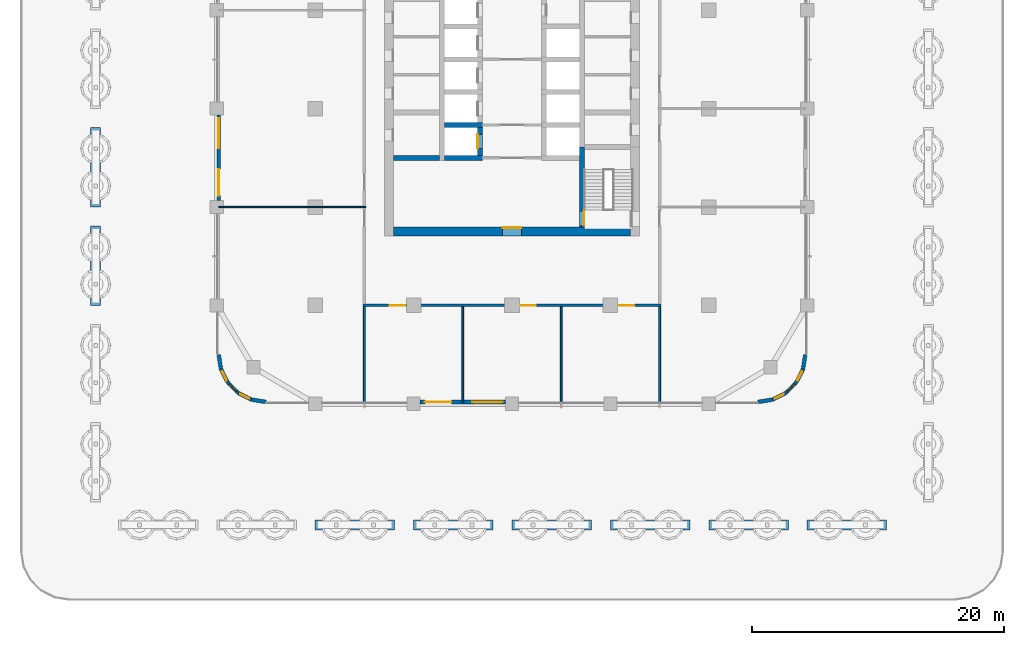
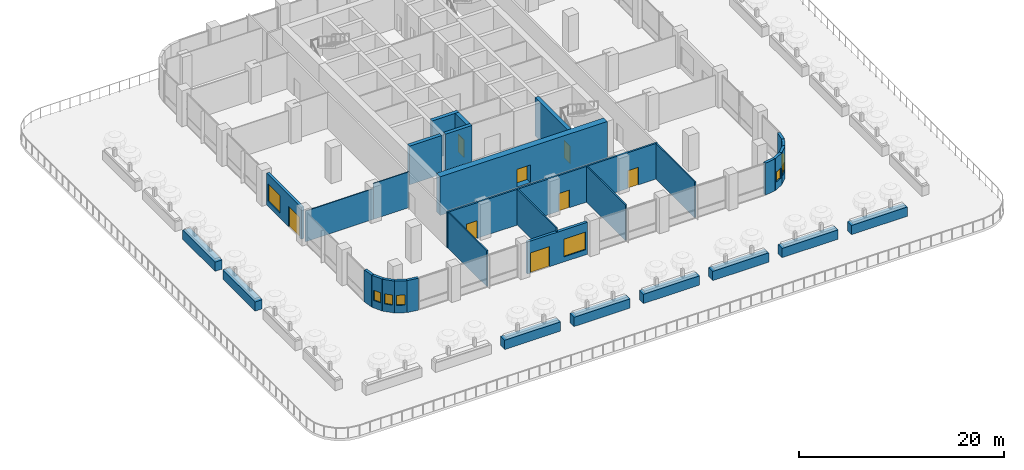
# One storey, part 12 of 31: 33 walls, 8 doors, 8 windows, 16 openings.
"""IFC4 building model written with IfcOpenShell, lengths in metres."""

from ifc_helpers import new_model, si_unit, direction, frame, frame_2d, origin, place, context, subcontext, project, spatial, rectangle, extrude, material, layer, layer_set, type_object, element, fill, save


model = new_model("IFC4")

# Units and contexts
model_context = context("Model", 3, precision=1e-05, world=origin(), true_north=direction((0.0, 1.0)))
body_context = subcontext(model_context, "Body", "Model", "MODEL_VIEW")
ifc_project = project(units=[si_unit("LENGTHUNIT", "METRE"), si_unit("AREAUNIT", "SQUARE_METRE"), si_unit("VOLUMEUNIT", "CUBIC_METRE"), si_unit("PLANEANGLEUNIT", "RADIAN"), si_unit("MASSUNIT", "GRAM", prefix="KILO")], contexts=[model_context])

# Site, building, storey
site_placement = place(None, origin())
site = spatial("IfcSite", under=ifc_project, at=site_placement, CompositionType="ELEMENT")
building_placement = place(site_placement, origin())
building = spatial("IfcBuilding", under=site, at=building_placement, Name="Ludao Terraces", CompositionType="ELEMENT")
storey_placement = place(building_placement, frame((0.0, 0.0, 15.0)))
storey = spatial("IfcBuildingStorey", under=building, at=storey_placement, Name="L03", CompositionType="ELEMENT", Elevation=15.0)

# Wall, opening, door
ifc_material_1 = material(Name="Concrete C70", Category="concrete")
ifc_layer_1 = layer(ifc_material_1, 0.699951171875)
ifc_layer_set_1 = layer_set([ifc_layer_1], Name="Core wall 700 C70")
wall_type_1 = type_object("IfcWallType", Name="Core wall 700 C70", PredefinedType="SOLIDWALL", material=ifc_layer_set_1)
wall_1_placement = place(storey_placement, frame((75.60009765625, 55.25, -0.35009765625), z_axis=(0.0, 0.0, 1.0), x_axis=(1.0, 0.0, 0.0)))
wall_1 = element("IfcWall", 1, at=wall_1_placement, inside=storey, type_object=wall_type_1, Name="Core wall L03 outer-S", PredefinedType="SOLIDWALL", context=body_context, shape_type="SweptSolid", body=[
    extrude(rectangle(XDim=18.7998046875, YDim=0.699951171875, at=frame_2d((9.39990234375, 0.0))), origin(), (0.0, 0.0, 1.0), 4.60009765625),
])
opening_1_placement = place(wall_1_placement, frame((8.64990234375, 0.0, 0.35009765625)))
opening_1 = element("IfcOpeningElement", 2, at=opening_1_placement, cuts=wall_1, Name="Opening A1-004", PredefinedType="OPENING", context=body_context, shape_type="SweptSolid", body=[
    extrude(rectangle(XDim=1.5, YDim=2.10009765625, at=frame_2d((0.75, 1.050048828125))), frame((0.0, 0.35986328125, 0.0), z_axis=(0.0, -1.0, 0.0), x_axis=(1.0, 0.0, 0.0)), (0.0, 0.0, 1.0), 0.719970703125),
])
ifc_material_2 = material(Name="Steel Q235", Category="steel")
door_type_1 = type_object("IfcDoorType", Name="INT Lobby door 1500", OperationType="DOUBLE_DOOR_SINGLE_SWING", PredefinedType="DOOR", material=ifc_material_2)
door_1_placement = place(opening_1_placement, origin())
door_1 = element("IfcDoor", 3, at=door_1_placement, inside=storey, type_object=door_type_1, Name="DOOR 004", OperationType="DOUBLE_DOOR_SINGLE_SWING", OverallHeight=2.10009765625, OverallWidth=1.5, PredefinedType="DOOR", context=body_context, shape_type="SweptSolid", body=[
    extrude(rectangle(XDim=1.5, YDim=2.10009765625, at=frame_2d((0.75, 1.050048828125))), frame((0.0, 0.3349609375, 0.0), z_axis=(0.0, -1.0, 0.0), x_axis=(1.0, 0.0, 0.0)), (0.0, 0.0, 1.0), 0.050048828125),
])
fill(opening_1, door_1)

# Wall, openings, door, window
ifc_material_3 = material(Name="Granite cladding", Category="masonry")
ifc_layer_2 = layer(ifc_material_3, 0.0400390625, Category="stone")
ifc_material_4 = material(Name="Mineral wool")
ifc_layer_3 = layer(ifc_material_4, 0.06005859375)
ifc_material_5 = material(Name="Concrete C40", Category="concrete")
ifc_layer_4 = layer(ifc_material_5, 0.199951171875, Category="concrete")
ifc_layer_set_2 = layer_set([ifc_layer_2, ifc_layer_3, ifc_layer_4], Name="ENV Stone-clad wall 300")
wall_type_2 = type_object("IfcWallType", Name="ENV Stone-clad wall 300", PredefinedType="SOLIDWALL", material=ifc_layer_set_2)
wall_2_placement = place(storey_placement, frame((77.72509765625, 41.75, 0.0), z_axis=(0.0, 0.0, 1.0), x_axis=(1.0, 0.0, 0.0)))
wall_2 = element("IfcWall", 4, at=wall_2_placement, inside=storey, type_object=wall_type_2, Name="EW-L03-S3", PredefinedType="SOLIDWALL", context=body_context, shape_type="SweptSolid", body=[
    extrude(rectangle(XDim=6.75, YDim=0.300048828125, at=frame_2d((3.375, 0.0))), origin(), (0.0, 0.0, 1.0), 3.800048828125),
])
opening_2_placement = place(wall_2_placement, frame((0.375, 0.0, 0.0)))
opening_2 = element("IfcOpeningElement", 5, at=opening_2_placement, cuts=wall_2, Name="Opening TD", PredefinedType="OPENING", context=body_context, shape_type="SweptSolid", body=[
    extrude(rectangle(XDim=2.10009765625, YDim=2.39990234375, at=frame_2d((1.050048828125, 1.199951171875))), frame((0.0, 0.16015625, 0.0), z_axis=(0.0, -1.0, 0.0), x_axis=(1.0, 0.0, 0.0)), (0.0, 0.0, 1.0), 0.320068359375),
])
opening_3_placement = place(wall_2_placement, frame((4.125, 0.0, 0.60009765625)))
opening_3 = element("IfcOpeningElement", 6, at=opening_3_placement, cuts=wall_2, Name="Opening W4", PredefinedType="OPENING", context=body_context, shape_type="SweptSolid", body=[
    extrude(rectangle(XDim=2.39990234375, YDim=2.10009765625, at=frame_2d((1.199951171875, 1.050048828125))), frame((0.0, 0.16015625, 0.0), z_axis=(0.0, -1.0, 0.0), x_axis=(1.0, 0.0, 0.0)), (0.0, 0.0, 1.0), 0.320068359375),
])
ifc_material_6 = material(Name="Aluminium glazed door", Category="aluminium")
ifc_layer_5 = layer(ifc_material_6, 0.06005859375)
ifc_layer_set_3 = layer_set([ifc_layer_5], Name="ENV Terrace door TD 2100x2400")
door_type_2 = type_object("IfcDoorType", Name="ENV Terrace door TD 2100x2400", OperationType="DOUBLE_DOOR_SINGLE_SWING", PredefinedType="DOOR", material=ifc_layer_set_3)
door_2_placement = place(opening_2_placement, frame((2.10009765625, 0.0, 0.0), z_axis=(0.0, 0.0, 1.0), x_axis=(-1.0, 0.0, 0.0)))
door_2 = element("IfcDoor", 7, at=door_2_placement, inside=storey, type_object=door_type_2, Name="BD-L03-S3-1", OperationType="DOUBLE_DOOR_SINGLE_SWING", OverallHeight=2.39990234375, OverallWidth=2.10009765625, PredefinedType="DOOR", context=body_context, shape_type="SweptSolid", body=[
    extrude(rectangle(XDim=2.10009765625, YDim=2.39990234375, at=frame_2d((1.050048828125, 1.199951171875))), frame((0.0, 0.02490234375, 0.0), z_axis=(0.0, -1.0, 0.0), x_axis=(1.0, 0.0, 0.0)), (0.0, 0.0, 1.0), 0.050048828125),
])
fill(opening_2, door_2)
ifc_material_7 = material(Name="Clear glass in aluminium frame", Category="aluminium")
ifc_layer_6 = layer(ifc_material_7, 0.06005859375)
ifc_layer_set_4 = layer_set([ifc_layer_6], Name="ENV Window W4 2400x2100")
window_type_1 = type_object("IfcWindowType", Name="ENV Window W4 2400x2100", PartitioningType="SINGLE_PANEL", PredefinedType="WINDOW", material=ifc_layer_set_4)
window_1_placement = place(opening_3_placement, origin())
window_1 = element("IfcWindow", 8, at=window_1_placement, inside=storey, type_object=window_type_1, Name="W-L03-S3-2", OverallHeight=2.10009765625, OverallWidth=2.39990234375, PartitioningType="SINGLE_PANEL", PredefinedType="WINDOW", context=body_context, shape_type="SweptSolid", body=[
    extrude(rectangle(XDim=2.39990234375, YDim=2.10009765625, at=frame_2d((1.199951171875, 1.050048828125))), frame((0.0, 0.030029296875, 0.0), z_axis=(0.0, -1.0, 0.0), x_axis=(1.0, 0.0, 0.0)), (0.0, 0.0, 1.0), 0.06005859375),
])
fill(opening_3, window_1)

wall_3_placement = place(storey_placement, frame((61.75, 57.72509765625, 0.0), z_axis=(0.0, 0.0, 1.0), x_axis=(0.0, 1.0, 0.0)))
wall_3 = element("IfcWall", 9, at=wall_3_placement, inside=storey, type_object=wall_type_2, Name="EW-L03-W3", PredefinedType="SOLIDWALL", context=body_context, shape_type="SweptSolid", body=[
    extrude(rectangle(XDim=6.75, YDim=0.300048828125, at=frame_2d((3.375, 0.0))), origin(), (0.0, 0.0, 1.0), 3.800048828125),
])
opening_4_placement = place(wall_3_placement, frame((0.375, 0.0, 0.0)))
opening_4 = element("IfcOpeningElement", 10, at=opening_4_placement, cuts=wall_3, Name="Opening TD", PredefinedType="OPENING", context=body_context, shape_type="SweptSolid", body=[
    extrude(rectangle(XDim=2.10009765625, YDim=2.39990234375, at=frame_2d((1.050048828125, 1.199951171875))), frame((0.0, 0.16015625, 0.0), z_axis=(0.0, -1.0, 0.0), x_axis=(1.0, 0.0, 0.0)), (0.0, 0.0, 1.0), 0.320068359375),
])
opening_5_placement = place(wall_3_placement, frame((4.125, 0.0, 0.60009765625)))
opening_5 = element("IfcOpeningElement", 11, at=opening_5_placement, cuts=wall_3, Name="Opening W4", PredefinedType="OPENING", context=body_context, shape_type="SweptSolid", body=[
    extrude(rectangle(XDim=2.39990234375, YDim=2.10009765625, at=frame_2d((1.199951171875, 1.050048828125))), frame((0.0, 0.16015625, 0.0), z_axis=(0.0, -1.0, 0.0), x_axis=(1.0, 0.0, 0.0)), (0.0, 0.0, 1.0), 0.320068359375),
])
door_3_placement = place(opening_4_placement, origin())
door_3 = element("IfcDoor", 12, at=door_3_placement, inside=storey, type_object=door_type_2, Name="BD-L03-W3-1", OperationType="DOUBLE_DOOR_SINGLE_SWING", OverallHeight=2.39990234375, OverallWidth=2.10009765625, PredefinedType="DOOR", context=body_context, shape_type="SweptSolid", body=[
    extrude(rectangle(XDim=2.10009765625, YDim=2.39990234375, at=frame_2d((1.050048828125, 1.199951171875))), frame((0.0, 0.02490234375, 0.0), z_axis=(0.0, -1.0, 0.0), x_axis=(1.0, 0.0, 0.0)), (0.0, 0.0, 1.0), 0.050048828125),
])
fill(opening_4, door_3)
window_2_placement = place(opening_5_placement, origin())
window_2 = element("IfcWindow", 13, at=window_2_placement, inside=storey, type_object=window_type_1, Name="W-L03-W3-2", OverallHeight=2.10009765625, OverallWidth=2.39990234375, PartitioningType="SINGLE_PANEL", PredefinedType="WINDOW", context=body_context, shape_type="SweptSolid", body=[
    extrude(rectangle(XDim=2.39990234375, YDim=2.10009765625, at=frame_2d((1.199951171875, 1.050048828125))), frame((0.0, 0.030029296875, 0.0), z_axis=(0.0, -1.0, 0.0), x_axis=(1.0, 0.0, 0.0)), (0.0, 0.0, 1.0), 0.06005859375),
])
fill(opening_5, window_2)

# Wall
wall_4_placement = place(storey_placement, frame((104.5, 41.75, 0.0), z_axis=(0.0, 0.0, 1.0), x_axis=(0.987678452879, 0.156496880861, 0.0)))
element("IfcWall", 14, at=wall_4_placement, inside=storey, type_object=wall_type_2, Name="EW-L03-SE1", PredefinedType="SOLIDWALL", context=body_context, shape_type="SweptSolid", body=[
    extrude(rectangle(XDim=1.173095703125, YDim=0.300048828125, at=frame_2d((0.58642578125, 0.0))), origin(), (0.0, 0.0, 1.0), 3.800048828125),
])

# Wall, opening, window
wall_5_placement = place(storey_placement, frame((105.65869140625, 41.93359375, 0.0), z_axis=(0.0, 0.0, 1.0), x_axis=(0.890988677504, 0.454025524128, 0.0)))
wall_5 = element("IfcWall", 15, at=wall_5_placement, inside=storey, type_object=wall_type_2, Name="EW-L03-SE2", PredefinedType="SOLIDWALL", context=body_context, shape_type="SweptSolid", body=[
    extrude(rectangle(XDim=1.17333984375, YDim=0.300048828125, at=frame_2d((0.586669921875, 0.0))), origin(), (0.0, 0.0, 1.0), 3.800048828125),
])
opening_6_placement = place(wall_5_placement, frame((0.1865234375, 0.0, 0.89990234375)))
opening_6 = element("IfcOpeningElement", 16, at=opening_6_placement, cuts=wall_5, Name="Opening W3", PredefinedType="OPENING", context=body_context, shape_type="SweptSolid", body=[
    extrude(rectangle(XDim=0.800048828125, YDim=1.199951171875, at=frame_2d((0.39990234375, 0.60009765625))), frame((0.0, 0.16015625, 0.0), z_axis=(0.0, -1.0, 0.0), x_axis=(1.0, 0.0, 0.0)), (0.0, 0.0, 1.0), 0.320068359375),
])
ifc_layer_7 = layer(ifc_material_7, 0.06005859375)
ifc_layer_set_5 = layer_set([ifc_layer_7], Name="ENV Window W3 800x1200")
window_type_2 = type_object("IfcWindowType", Name="ENV Window W3 800x1200", PartitioningType="SINGLE_PANEL", PredefinedType="WINDOW", material=ifc_layer_set_5)
window_3_placement = place(opening_6_placement, origin())
window_3 = element("IfcWindow", 17, at=window_3_placement, inside=storey, type_object=window_type_2, Name="W-L03-SE2", OverallHeight=1.199951171875, OverallWidth=0.800048828125, PartitioningType="SINGLE_PANEL", PredefinedType="WINDOW", context=body_context, shape_type="SweptSolid", body=[
    extrude(rectangle(XDim=0.800048828125, YDim=1.199951171875, at=frame_2d((0.39990234375, 0.60009765625))), frame((0.0, 0.030029296875, 0.0), z_axis=(0.0, -1.0, 0.0), x_axis=(1.0, 0.0, 0.0)), (0.0, 0.0, 1.0), 0.06005859375),
])
fill(opening_6, window_3)

wall_6_placement = place(storey_placement, frame((106.7041015625, 42.46630859375, 0.0), z_axis=(0.0, 0.0, 1.0), x_axis=(0.707106781187, 0.707106781187, 0.0)))
wall_6 = element("IfcWall", 18, at=wall_6_placement, inside=storey, type_object=wall_type_2, Name="EW-L03-SE3", PredefinedType="SOLIDWALL", context=body_context, shape_type="SweptSolid", body=[
    extrude(rectangle(XDim=1.173095703125, YDim=0.300048828125, at=frame_2d((0.58642578125, 0.0))), origin(), (0.0, 0.0, 1.0), 3.800048828125),
])
opening_7_placement = place(wall_6_placement, frame((0.1865234375, 0.0, 0.89990234375)))
opening_7 = element("IfcOpeningElement", 19, at=opening_7_placement, cuts=wall_6, Name="Opening W3", PredefinedType="OPENING", context=body_context, shape_type="SweptSolid", body=[
    extrude(rectangle(XDim=0.800048828125, YDim=1.199951171875, at=frame_2d((0.39990234375, 0.60009765625))), frame((0.0, 0.16015625, 0.0), z_axis=(0.0, -1.0, 0.0), x_axis=(1.0, 0.0, 0.0)), (0.0, 0.0, 1.0), 0.320068359375),
])
window_4_placement = place(opening_7_placement, origin())
window_4 = element("IfcWindow", 20, at=window_4_placement, inside=storey, type_object=window_type_2, Name="W-L03-SE3", OverallHeight=1.199951171875, OverallWidth=0.800048828125, PartitioningType="SINGLE_PANEL", PredefinedType="WINDOW", context=body_context, shape_type="SweptSolid", body=[
    extrude(rectangle(XDim=0.800048828125, YDim=1.199951171875, at=frame_2d((0.39990234375, 0.60009765625))), frame((0.0, 0.030029296875, 0.0), z_axis=(0.0, -1.0, 0.0), x_axis=(1.0, 0.0, 0.0)), (0.0, 0.0, 1.0), 0.06005859375),
])
fill(opening_7, window_4)

wall_7_placement = place(storey_placement, frame((107.53369140625, 43.2958984375, 0.0), z_axis=(0.0, 0.0, 1.0), x_axis=(0.454025524128, 0.890988677504, 0.0)))
wall_7 = element("IfcWall", 21, at=wall_7_placement, inside=storey, type_object=wall_type_2, Name="EW-L03-SE4", PredefinedType="SOLIDWALL", context=body_context, shape_type="SweptSolid", body=[
    extrude(rectangle(XDim=1.17333984375, YDim=0.300048828125, at=frame_2d((0.586669921875, 0.0))), origin(), (0.0, 0.0, 1.0), 3.800048828125),
])
opening_8_placement = place(wall_7_placement, frame((0.1865234375, 0.0, 0.89990234375)))
opening_8 = element("IfcOpeningElement", 22, at=opening_8_placement, cuts=wall_7, Name="Opening W3", PredefinedType="OPENING", context=body_context, shape_type="SweptSolid", body=[
    extrude(rectangle(XDim=0.800048828125, YDim=1.199951171875, at=frame_2d((0.39990234375, 0.60009765625))), frame((0.0, 0.16015625, 0.0), z_axis=(0.0, -1.0, 0.0), x_axis=(1.0, 0.0, 0.0)), (0.0, 0.0, 1.0), 0.320068359375),
])
window_5_placement = place(opening_8_placement, origin())
window_5 = element("IfcWindow", 23, at=window_5_placement, inside=storey, type_object=window_type_2, Name="W-L03-SE4", OverallHeight=1.199951171875, OverallWidth=0.800048828125, PartitioningType="SINGLE_PANEL", PredefinedType="WINDOW", context=body_context, shape_type="SweptSolid", body=[
    extrude(rectangle(XDim=0.800048828125, YDim=1.199951171875, at=frame_2d((0.39990234375, 0.60009765625))), frame((0.0, 0.030029296875, 0.0), z_axis=(0.0, -1.0, 0.0), x_axis=(1.0, 0.0, 0.0)), (0.0, 0.0, 1.0), 0.06005859375),
])
fill(opening_8, window_5)

# Walls
for number, where, z_axis, x_axis, name in (
    (24, (108.06640625, 44.34130859375, 0.0), (0.0, 0.0, 1.0), (0.156496880861, 0.987678452879, 0.0), "EW-L03-SE5"),
    (25, (61.75, 45.5, 0.0), (0.0, 0.0, 1.0), (0.156496880861, -0.987678452879, 0.0), "EW-L03-SW1"),
):
    element("IfcWall", number, at=place(storey_placement, frame(where, z_axis=z_axis, x_axis=x_axis)), inside=storey, type_object=wall_type_2, Name=name, PredefinedType="SOLIDWALL", context=body_context, shape_type="SweptSolid", body=[
        extrude(rectangle(XDim=1.173095703125, YDim=0.300048828125, at=frame_2d((0.58642578125, 0.0))), origin(), (0.0, 0.0, 1.0), 3.800048828125),
    ])

# Wall, opening, window
wall_8_placement = place(storey_placement, frame((61.93359375, 44.34130859375, 0.0), z_axis=(0.0, 0.0, 1.0), x_axis=(0.454025524128, -0.890988677504, 0.0)))
wall_8 = element("IfcWall", 26, at=wall_8_placement, inside=storey, type_object=wall_type_2, Name="EW-L03-SW2", PredefinedType="SOLIDWALL", context=body_context, shape_type="SweptSolid", body=[
    extrude(rectangle(XDim=1.17333984375, YDim=0.300048828125, at=frame_2d((0.586669921875, 0.0))), origin(), (0.0, 0.0, 1.0), 3.800048828125),
])
opening_9_placement = place(wall_8_placement, frame((0.1865234375, 0.0, 0.89990234375)))
opening_9 = element("IfcOpeningElement", 27, at=opening_9_placement, cuts=wall_8, Name="Opening W3", PredefinedType="OPENING", context=body_context, shape_type="SweptSolid", body=[
    extrude(rectangle(XDim=0.800048828125, YDim=1.199951171875, at=frame_2d((0.39990234375, 0.60009765625))), frame((0.0, 0.16015625, 0.0), z_axis=(0.0, -1.0, 0.0), x_axis=(1.0, 0.0, 0.0)), (0.0, 0.0, 1.0), 0.320068359375),
])
window_6_placement = place(opening_9_placement, origin())
window_6 = element("IfcWindow", 28, at=window_6_placement, inside=storey, type_object=window_type_2, Name="W-L03-SW2", OverallHeight=1.199951171875, OverallWidth=0.800048828125, PartitioningType="SINGLE_PANEL", PredefinedType="WINDOW", context=body_context, shape_type="SweptSolid", body=[
    extrude(rectangle(XDim=0.800048828125, YDim=1.199951171875, at=frame_2d((0.39990234375, 0.60009765625))), frame((0.0, 0.030029296875, 0.0), z_axis=(0.0, -1.0, 0.0), x_axis=(1.0, 0.0, 0.0)), (0.0, 0.0, 1.0), 0.06005859375),
])
fill(opening_9, window_6)

wall_9_placement = place(storey_placement, frame((62.46630859375, 43.2958984375, 0.0), z_axis=(0.0, 0.0, 1.0), x_axis=(0.707106781187, -0.707106781187, 0.0)))
wall_9 = element("IfcWall", 29, at=wall_9_placement, inside=storey, type_object=wall_type_2, Name="EW-L03-SW3", PredefinedType="SOLIDWALL", context=body_context, shape_type="SweptSolid", body=[
    extrude(rectangle(XDim=1.173095703125, YDim=0.300048828125, at=frame_2d((0.58642578125, 0.0))), origin(), (0.0, 0.0, 1.0), 3.800048828125),
])
opening_10_placement = place(wall_9_placement, frame((0.1865234375, 0.0, 0.89990234375)))
opening_10 = element("IfcOpeningElement", 30, at=opening_10_placement, cuts=wall_9, Name="Opening W3", PredefinedType="OPENING", context=body_context, shape_type="SweptSolid", body=[
    extrude(rectangle(XDim=0.800048828125, YDim=1.199951171875, at=frame_2d((0.39990234375, 0.60009765625))), frame((0.0, 0.16015625, 0.0), z_axis=(0.0, -1.0, 0.0), x_axis=(1.0, 0.0, 0.0)), (0.0, 0.0, 1.0), 0.320068359375),
])
window_7_placement = place(opening_10_placement, origin())
window_7 = element("IfcWindow", 31, at=window_7_placement, inside=storey, type_object=window_type_2, Name="W-L03-SW3", OverallHeight=1.199951171875, OverallWidth=0.800048828125, PartitioningType="SINGLE_PANEL", PredefinedType="WINDOW", context=body_context, shape_type="SweptSolid", body=[
    extrude(rectangle(XDim=0.800048828125, YDim=1.199951171875, at=frame_2d((0.39990234375, 0.60009765625))), frame((0.0, 0.030029296875, 0.0), z_axis=(0.0, -1.0, 0.0), x_axis=(1.0, 0.0, 0.0)), (0.0, 0.0, 1.0), 0.06005859375),
])
fill(opening_10, window_7)

wall_10_placement = place(storey_placement, frame((63.2958984375, 42.46630859375, 0.0), z_axis=(0.0, 0.0, 1.0), x_axis=(0.890988677504, -0.454025524128, 0.0)))
wall_10 = element("IfcWall", 32, at=wall_10_placement, inside=storey, type_object=wall_type_2, Name="EW-L03-SW4", PredefinedType="SOLIDWALL", context=body_context, shape_type="SweptSolid", body=[
    extrude(rectangle(XDim=1.17333984375, YDim=0.300048828125, at=frame_2d((0.586669921875, 0.0))), origin(), (0.0, 0.0, 1.0), 3.800048828125),
])
opening_11_placement = place(wall_10_placement, frame((0.1865234375, 0.0, 0.89990234375)))
opening_11 = element("IfcOpeningElement", 33, at=opening_11_placement, cuts=wall_10, Name="Opening W3", PredefinedType="OPENING", context=body_context, shape_type="SweptSolid", body=[
    extrude(rectangle(XDim=0.800048828125, YDim=1.199951171875, at=frame_2d((0.39990234375, 0.60009765625))), frame((0.0, 0.16015625, 0.0), z_axis=(0.0, -1.0, 0.0), x_axis=(1.0, 0.0, 0.0)), (0.0, 0.0, 1.0), 0.320068359375),
])
window_8_placement = place(opening_11_placement, origin())
window_8 = element("IfcWindow", 34, at=window_8_placement, inside=storey, type_object=window_type_2, Name="W-L03-SW4", OverallHeight=1.199951171875, OverallWidth=0.800048828125, PartitioningType="SINGLE_PANEL", PredefinedType="WINDOW", context=body_context, shape_type="SweptSolid", body=[
    extrude(rectangle(XDim=0.800048828125, YDim=1.199951171875, at=frame_2d((0.39990234375, 0.60009765625))), frame((0.0, 0.030029296875, 0.0), z_axis=(0.0, -1.0, 0.0), x_axis=(1.0, 0.0, 0.0)), (0.0, 0.0, 1.0), 0.06005859375),
])
fill(opening_11, window_8)

# Walls
wall_11_placement = place(storey_placement, frame((64.34130859375, 41.93359375, 0.0), z_axis=(0.0, 0.0, 1.0), x_axis=(0.987678452879, -0.156496880861, 0.0)))
element("IfcWall", 35, at=wall_11_placement, inside=storey, type_object=wall_type_2, Name="EW-L03-SW5", PredefinedType="SOLIDWALL", context=body_context, shape_type="SweptSolid", body=[
    extrude(rectangle(XDim=1.173095703125, YDim=0.300048828125, at=frame_2d((0.58642578125, 0.0))), origin(), (0.0, 0.0, 1.0), 3.800048828125),
])
ifc_layer_8 = layer(ifc_material_5, 0.800048828125)
ifc_layer_set_6 = layer_set([ifc_layer_8], Name="ENV Terrace planter 800")
wall_type_3 = type_object("IfcWallType", Name="ENV Terrace planter 800", PredefinedType="USERDEFINED", material=ifc_layer_set_6)
for number, where, z_axis, x_axis, name in (
    (36, (69.39990234375, 32.0, 0.0), (0.0, 0.0, 1.0), (1.0, 0.0, 0.0), "PL-L03-T3"),
    (37, (77.199951171875, 32.0, 0.0), (0.0, 0.0, 1.0), (1.0, 0.0, 0.0), "PL-L03-T4"),
    (38, (85.0, 32.0, 0.0), (0.0, 0.0, 1.0), (1.0, 0.0, 0.0), "PL-L03-T5"),
    (39, (92.800048828125, 32.0, 0.0), (0.0, 0.0, 1.0), (1.0, 0.0, 0.0), "PL-L03-T6"),
):
    element("IfcWall", number, at=place(storey_placement, frame(where, z_axis=z_axis, x_axis=x_axis)), inside=storey, type_object=wall_type_3, Name=name, ObjectType="PLANTER", PredefinedType="USERDEFINED", context=body_context, shape_type="SweptSolid", body=[
        extrude(rectangle(XDim=6.300048828125, YDim=0.800048828125, at=frame_2d((3.14990234375, 0.0))), origin(), (0.0, 0.0, 1.0), 1.10009765625),
    ])
wall_12_placement = place(storey_placement, frame((100.60009765625, 32.0, 0.0), z_axis=(0.0, 0.0, 1.0), x_axis=(1.0, 0.0, 0.0)))
element("IfcWall", 40, at=wall_12_placement, inside=storey, type_object=wall_type_3, Name="PL-L03-T7", ObjectType="PLANTER", PredefinedType="USERDEFINED", context=body_context, shape_type="SweptSolid", body=[
    extrude(rectangle(XDim=6.2998046875, YDim=0.800048828125, at=frame_2d((3.14990234375, 0.0))), origin(), (0.0, 0.0, 1.0), 1.10009765625),
])
for number, where, z_axis, x_axis, name in (
    (41, (108.39990234375, 32.0, 0.0), (0.0, 0.0, 1.0), (1.0, 0.0, 0.0), "PL-L03-T8"),
    (42, (52.0, 49.39990234375, 0.0), (0.0, 0.0, 1.0), (0.0, 1.0, 0.0), "PL-L03-T11"),
    (43, (52.0, 57.199951171875, 0.0), (0.0, 0.0, 1.0), (0.0, 1.0, 0.0), "PL-L03-T12"),
):
    element("IfcWall", number, at=place(storey_placement, frame(where, z_axis=z_axis, x_axis=x_axis)), inside=storey, type_object=wall_type_3, Name=name, ObjectType="PLANTER", PredefinedType="USERDEFINED", context=body_context, shape_type="SweptSolid", body=[
        extrude(rectangle(XDim=6.300048828125, YDim=0.800048828125, at=frame_2d((3.14990234375, 0.0))), origin(), (0.0, 0.0, 1.0), 1.10009765625),
    ])

# Wall, openings, doors
ifc_material_8 = material(Name="Autoclaved aerated concrete block B06 A3.5", Category="concrete")
ifc_layer_9 = layer(ifc_material_8, 0.199951171875)
ifc_layer_set_7 = layer_set([ifc_layer_9], Name="INT Entrance wall 200")
wall_type_4 = type_object("IfcWallType", Name="INT Entrance wall 200", PredefinedType="PARTITIONING", material=ifc_layer_set_7)
wall_13_placement = place(storey_placement, frame((73.2001953125, 49.39990234375, 0.0), z_axis=(0.0, 0.0, 1.0), x_axis=(1.0, 0.0, 0.0)))
wall_13 = element("IfcWall", 44, at=wall_13_placement, inside=storey, type_object=wall_type_4, Name="PW-L03-PW000", PredefinedType="PARTITIONING", context=body_context, shape_type="SweptSolid", body=[
    extrude(rectangle(XDim=23.599853515625, YDim=0.199951171875, at=frame_2d((11.7998046875, 0.0))), origin(), (0.0, 0.0, 1.0), 4.25),
])
opening_12_placement = place(wall_13_placement, frame((2.125, 0.0, 0.0)))
opening_12 = element("IfcOpeningElement", 45, at=opening_12_placement, cuts=wall_13, Name="Opening A1-001", PredefinedType="OPENING", context=body_context, shape_type="SweptSolid", body=[
    extrude(rectangle(XDim=1.199951171875, YDim=2.10009765625, at=frame_2d((0.60009765625, 1.050048828125))), frame((0.0, 0.10986328125, 0.0), z_axis=(0.0, -1.0, 0.0), x_axis=(1.0, 0.0, 0.0)), (0.0, 0.0, 1.0), 0.219970703125),
])
opening_13_placement = place(wall_13_placement, frame((12.5, 0.0, 0.0)))
opening_13 = element("IfcOpeningElement", 46, at=opening_13_placement, cuts=wall_13, Name="Opening A1-002", PredefinedType="OPENING", context=body_context, shape_type="SweptSolid", body=[
    extrude(rectangle(XDim=1.199951171875, YDim=2.10009765625, at=frame_2d((0.60009765625, 1.050048828125))), frame((0.0, 0.10986328125, 0.0), z_axis=(0.0, -1.0, 0.0), x_axis=(1.0, 0.0, 0.0)), (0.0, 0.0, 1.0), 0.219970703125),
])
opening_14_placement = place(wall_13_placement, frame((20.27490234375, 0.0, 0.0)))
opening_14 = element("IfcOpeningElement", 47, at=opening_14_placement, cuts=wall_13, Name="Opening A1-003", PredefinedType="OPENING", context=body_context, shape_type="SweptSolid", body=[
    extrude(rectangle(XDim=1.199951171875, YDim=2.10009765625, at=frame_2d((0.60009765625, 1.050048828125))), frame((0.0, 0.10986328125, 0.0), z_axis=(0.0, -1.0, 0.0), x_axis=(1.0, 0.0, 0.0)), (0.0, 0.0, 1.0), 0.219970703125),
])
ifc_material_9 = material(Name="Timber door leaf", Category="wood")
door_type_3 = type_object("IfcDoorType", Name="INT Double door 1200", OperationType="DOUBLE_DOOR_SINGLE_SWING", PredefinedType="DOOR", material=ifc_material_9)
door_4_placement = place(opening_12_placement, origin())
door_4 = element("IfcDoor", 48, at=door_4_placement, inside=storey, type_object=door_type_3, Name="DOOR 001", OperationType="DOUBLE_DOOR_SINGLE_SWING", OverallHeight=2.10009765625, OverallWidth=1.199951171875, PredefinedType="DOOR", context=body_context, shape_type="SweptSolid", body=[
    extrude(rectangle(XDim=1.199951171875, YDim=2.10009765625, at=frame_2d((0.60009765625, 1.050048828125))), frame((0.0, 0.02490234375, 0.0), z_axis=(0.0, -1.0, 0.0), x_axis=(1.0, 0.0, 0.0)), (0.0, 0.0, 1.0), 0.050048828125),
])
fill(opening_12, door_4)
door_5_placement = place(opening_13_placement, origin())
door_5 = element("IfcDoor", 49, at=door_5_placement, inside=storey, type_object=door_type_3, Name="DOOR 002", OperationType="DOUBLE_DOOR_SINGLE_SWING", OverallHeight=2.10009765625, OverallWidth=1.199951171875, PredefinedType="DOOR", context=body_context, shape_type="SweptSolid", body=[
    extrude(rectangle(XDim=1.199951171875, YDim=2.10009765625, at=frame_2d((0.60009765625, 1.050048828125))), frame((0.0, 0.02490234375, 0.0), z_axis=(0.0, -1.0, 0.0), x_axis=(1.0, 0.0, 0.0)), (0.0, 0.0, 1.0), 0.050048828125),
])
fill(opening_13, door_5)
door_6_placement = place(opening_14_placement, origin())
door_6 = element("IfcDoor", 50, at=door_6_placement, inside=storey, type_object=door_type_3, Name="DOOR 003", OperationType="DOUBLE_DOOR_SINGLE_SWING", OverallHeight=2.10009765625, OverallWidth=1.199951171875, PredefinedType="DOOR", context=body_context, shape_type="SweptSolid", body=[
    extrude(rectangle(XDim=1.199951171875, YDim=2.10009765625, at=frame_2d((0.60009765625, 1.050048828125))), frame((0.0, 0.02490234375, 0.0), z_axis=(0.0, -1.0, 0.0), x_axis=(1.0, 0.0, 0.0)), (0.0, 0.0, 1.0), 0.050048828125),
])
fill(opening_14, door_6)

# Walls
ifc_material_10 = material(Name="Gypsum plasterboard", Category="gypsum")
ifc_layer_10 = layer(ifc_material_10, 0.012451171875, Category="gypsum")
ifc_layer_11 = layer(ifc_material_4, 0.06005859375, Name="insulation")
ifc_layer_12 = layer(ifc_material_2, 0.014892578125, Name="stud")
ifc_layer_13 = layer(ifc_material_10, 0.012451171875, Category="gypsum")
ifc_layer_set_8 = layer_set([ifc_layer_10, ifc_layer_11, ifc_layer_12, ifc_layer_13], Name="INT Partition 100")
wall_type_5 = type_object("IfcWallType", Name="INT Partition 100", PredefinedType="PARTITIONING", material=ifc_layer_set_8)
wall_14_placement = place(storey_placement, frame((61.735107421875, 57.199951171875, 0.0), z_axis=(0.0, 0.0, 1.0), x_axis=(1.0, 0.0, 0.0)))
element("IfcWall", 51, at=wall_14_placement, inside=storey, type_object=wall_type_5, Name="PW-L03-PW001", PredefinedType="PARTITIONING", context=body_context, shape_type="SweptSolid", body=[
    extrude(rectangle(XDim=7.664794921875, YDim=0.10009765625, at=frame_2d((3.83251953125, 0.0))), origin(), (0.0, 0.0, 1.0), 3.64990234375),
])
wall_15_placement = place(storey_placement, frame((69.39990234375, 57.199951171875, 0.0), z_axis=(0.0, 0.0, 1.0), x_axis=(1.0, 0.0, 0.0)))
element("IfcWall", 52, at=wall_15_placement, inside=storey, type_object=wall_type_5, Name="PW-L03-PW001-2", PredefinedType="PARTITIONING", context=body_context, shape_type="SweptSolid", body=[
    extrude(rectangle(XDim=4.000244140625, YDim=0.10009765625, at=frame_2d((2.0, 0.0))), origin(), (0.0, 0.0, 1.0), 4.25),
])
ifc_layer_14 = layer(ifc_material_8, 0.14990234375)
ifc_layer_set_9 = layer_set([ifc_layer_14], Name="INT Party wall 150")
wall_type_6 = type_object("IfcWallType", Name="INT Party wall 150", PredefinedType="PARTITIONING", material=ifc_layer_set_9)
for number, where, z_axis, x_axis, name in (
    (53, (73.300048828125, 41.735107421875, 0.0), (0.0, 0.0, 1.0), (0.0, 1.0, 0.0), "PW-L03-PW018"),
    (54, (81.10009765625, 41.735107421875, 0.0), (0.0, 0.0, 1.0), (0.0, 1.0, 0.0), "PW-L03-PW021"),
    (55, (88.89990234375, 41.735107421875, 0.0), (0.0, 0.0, 1.0), (0.0, 1.0, 0.0), "PW-L03-PW022"),
    (56, (96.699951171875, 41.735107421875, 0.0), (0.0, 0.0, 1.0), (0.0, 1.0, 0.0), "PW-L03-PW023"),
):
    element("IfcWall", number, at=place(storey_placement, frame(where, z_axis=z_axis, x_axis=x_axis)), inside=storey, type_object=wall_type_6, Name=name, PredefinedType="PARTITIONING", context=body_context, shape_type="SweptSolid", body=[
        extrude(rectangle(XDim=7.56494140625, YDim=0.14990234375, at=frame_2d((3.782470703125, 0.0))), origin(), (0.0, 0.0, 1.0), 4.25),
    ])

# Wall, opening, door
ifc_material_11 = material(Name="Concrete C60", Category="concrete")
ifc_layer_15 = layer(ifc_material_11, 0.39990234375)
ifc_layer_set_10 = layer_set([ifc_layer_15], Name="Shaft wall 400 C60")
wall_type_7 = type_object("IfcWallType", Name="Shaft wall 400 C60", PredefinedType="SOLIDWALL", material=ifc_layer_set_10)
wall_16_placement = place(storey_placement, frame((90.550048828125, 55.60009765625, -0.35009765625), z_axis=(0.0, 0.0, 1.0), x_axis=(0.0, 1.0, 0.0)))
wall_16 = element("IfcWall", 57, at=wall_16_placement, inside=storey, type_object=wall_type_7, Name="Core wall L03 back-E-S3", PredefinedType="SOLIDWALL", context=body_context, shape_type="SweptSolid", body=[
    extrude(rectangle(XDim=6.349853515625, YDim=0.39990234375, at=frame_2d((3.1748046875, 0.0))), origin(), (0.0, 0.0, 1.0), 4.60009765625),
])
opening_15_placement = place(wall_16_placement, frame((0.10009765625, 0.0, 0.35009765625)))
opening_15 = element("IfcOpeningElement", 58, at=opening_15_placement, cuts=wall_16, Name="Opening A1-005", PredefinedType="OPENING", context=body_context, shape_type="SweptSolid", body=[
    extrude(rectangle(XDim=1.199951171875, YDim=2.10009765625, at=frame_2d((0.60009765625, 1.050048828125))), frame((0.0, 0.2099609375, 0.0), z_axis=(0.0, -1.0, 0.0), x_axis=(1.0, 0.0, 0.0)), (0.0, 0.0, 1.0), 0.419921875),
])
door_type_4 = type_object("IfcDoorType", Name="INT Stair door 1200", OperationType="DOUBLE_DOOR_SINGLE_SWING", PredefinedType="DOOR", material=ifc_material_2)
door_7_placement = place(opening_15_placement, origin())
door_7 = element("IfcDoor", 59, at=door_7_placement, inside=storey, type_object=door_type_4, Name="DOOR 005", OperationType="DOUBLE_DOOR_SINGLE_SWING", OverallHeight=2.10009765625, OverallWidth=1.199951171875, PredefinedType="DOOR", context=body_context, shape_type="SweptSolid", body=[
    extrude(rectangle(XDim=1.199951171875, YDim=2.10009765625, at=frame_2d((0.60009765625, 1.050048828125))), frame((0.0, -0.134765625, 0.0), z_axis=(0.0, -1.0, 0.0), x_axis=(1.0, 0.0, 0.0)), (0.0, 0.0, 1.0), 0.050048828125),
])
fill(opening_15, door_7)

# Wall
wall_17_placement = place(storey_placement, frame((79.64990234375, 61.10009765625, -0.35009765625), z_axis=(0.0, 0.0, 1.0), x_axis=(1.0, 0.0, 0.0)))
element("IfcWall", 60, at=wall_17_placement, inside=storey, type_object=wall_type_7, Name="Core wall L03 div-W1", PredefinedType="SOLIDWALL", context=body_context, shape_type="SweptSolid", body=[
    extrude(rectangle(XDim=3.0, YDim=0.39990234375, at=frame_2d((1.5, 0.0))), origin(), (0.0, 0.0, 1.0), 4.60009765625),
])

# Wall, opening, door
wall_18_placement = place(storey_placement, frame((82.449951171875, 61.300048828125, -0.35009765625), z_axis=(0.0, 0.0, 1.0), x_axis=(0.0, 1.0, 0.0)))
wall_18 = element("IfcWall", 61, at=wall_18_placement, inside=storey, type_object=wall_type_7, Name="Core wall L03 front-W1", PredefinedType="SOLIDWALL", context=body_context, shape_type="SweptSolid", body=[
    extrude(rectangle(XDim=2.199951171875, YDim=0.39990234375, at=frame_2d((1.10009765625, 0.0))), origin(), (0.0, 0.0, 1.0), 4.60009765625),
])
opening_16_placement = place(wall_18_placement, frame((0.550048828125, 0.0, 0.35009765625)))
opening_16 = element("IfcOpeningElement", 62, at=opening_16_placement, cuts=wall_18, Name="Opening LD-LA1", PredefinedType="OPENING", context=body_context, shape_type="SweptSolid", body=[
    extrude(rectangle(XDim=1.10009765625, YDim=2.10009765625, at=frame_2d((0.550048828125, 1.050048828125))), frame((0.0, 0.2099609375, 0.0), z_axis=(0.0, -1.0, 0.0), x_axis=(1.0, 0.0, 0.0)), (0.0, 0.0, 1.0), 0.419921875),
])
ifc_material_12 = material(Name="Stainless steel 304", Category="steel")
door_type_5 = type_object("IfcDoorType", Name="INT Lift landing door 1100", OperationType="SLIDING_TO_LEFT", PredefinedType="DOOR", material=ifc_material_12)
door_8_placement = place(opening_16_placement, origin())
door_8 = element("IfcDoor", 63, at=door_8_placement, inside=storey, type_object=door_type_5, Name="LANDING DOOR LA1 L03", OperationType="SLIDING_TO_RIGHT", OverallHeight=2.10009765625, OverallWidth=1.10009765625, PredefinedType="DOOR", context=body_context, shape_type="SweptSolid", body=[
    extrude(rectangle(XDim=1.10009765625, YDim=2.10009765625, at=frame_2d((0.550048828125, 1.050048828125))), frame((0.0, 0.18505859375, 0.0), z_axis=(0.0, -1.0, 0.0), x_axis=(1.0, 0.0, 0.0)), (0.0, 0.0, 1.0), 0.050048828125),
])
fill(opening_16, door_8)

# Walls
wall_19_placement = place(storey_placement, frame((79.64990234375, 63.699951171875, -0.35009765625), z_axis=(0.0, 0.0, 1.0), x_axis=(1.0, 0.0, 0.0)))
element("IfcWall", 64, at=wall_19_placement, inside=storey, type_object=wall_type_7, Name="Core wall L03 div-W2", PredefinedType="SOLIDWALL", context=body_context, shape_type="SweptSolid", body=[
    extrude(rectangle(XDim=3.0, YDim=0.39990234375, at=frame_2d((1.5, 0.0))), origin(), (0.0, 0.0, 1.0), 4.60009765625),
])
wall_20_placement = place(storey_placement, frame((75.60009765625, 61.10009765625, -0.35009765625), z_axis=(0.0, 0.0, 1.0), x_axis=(1.0, 0.0, 0.0)))
element("IfcWall", 65, at=wall_20_placement, inside=storey, type_object=wall_type_7, Name="Core wall L03 hall-W", PredefinedType="SOLIDWALL", context=body_context, shape_type="SweptSolid", body=[
    extrude(rectangle(XDim=3.64990234375, YDim=0.39990234375, at=frame_2d((1.824951171875, 0.0))), origin(), (0.0, 0.0, 1.0), 4.60009765625),
])

save(model, "model.ifc")
